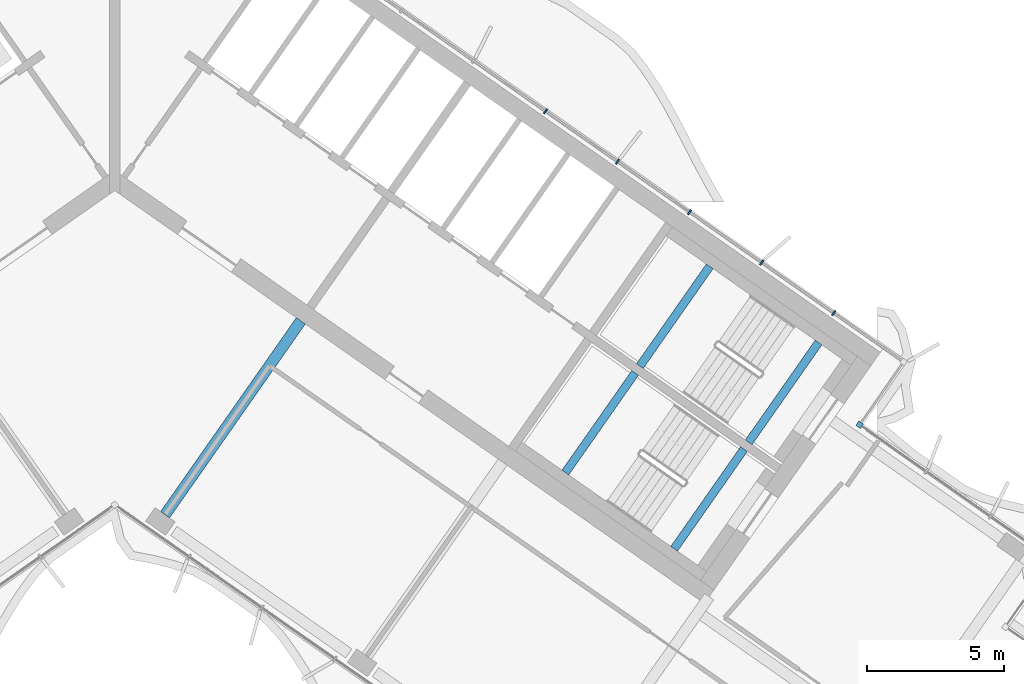
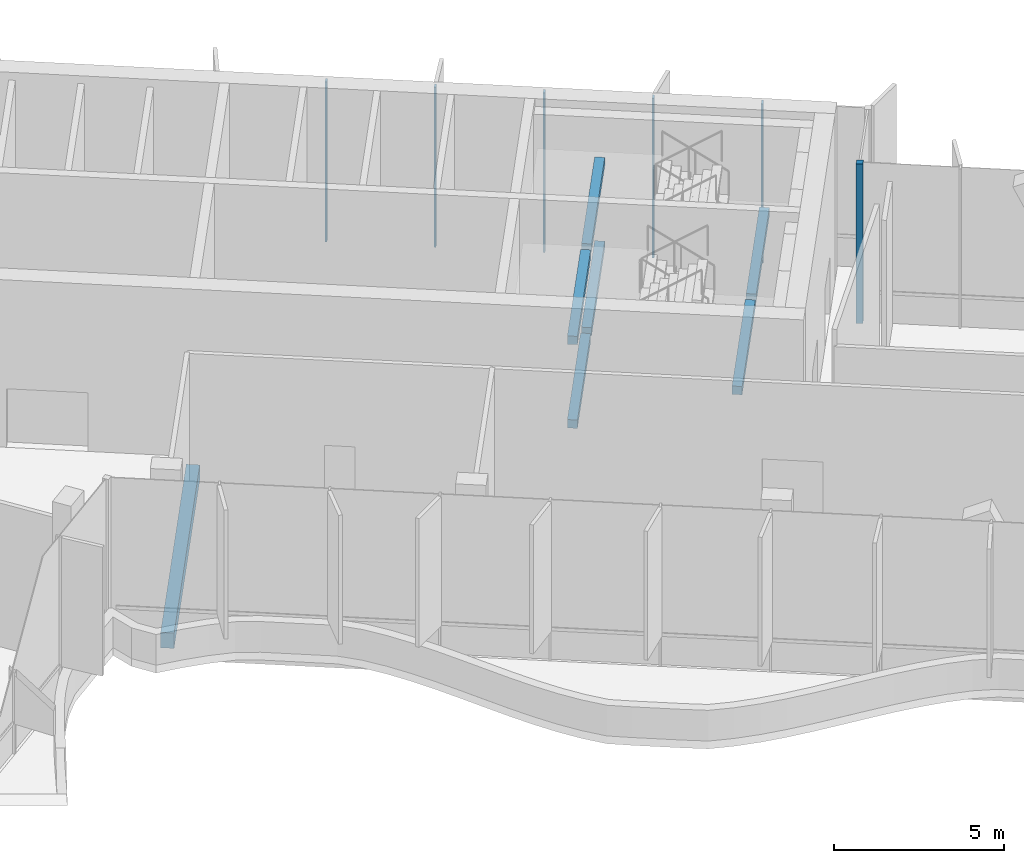
# One storey, part 6 of 22: 7 beams, 6 members, 1 element without a shape of its own.
"""IFC4 building model written with IfcOpenShell, lengths in metres."""

import ifcopenshell
import ifcopenshell.guid

model = None  # the IFC model being written
_history = None  # IfcOwnerHistory: only IFC2X3 demands one
_inside = {}  # id of a spatial element -> (the spatial element, [elements in it])
_under = {}  # id of a project, library or spatial element -> (it, [spatial elements below it])
_declared = {}  # id of a project -> (the project, [libraries it declares])
_typed = {}  # id of a type object -> (the type object, [elements of that type])
_made_of = {}  # id of a material, layer set ... -> (it, [elements and type objects made of it])


def new_model(schema):
    """Start an empty IFC model of exactly this schema.

    Asked for "IFC4X3", IfcOpenShell would pick the latest addendum, in which some entities
    have other attributes; the version numbers below select the first issue.
    IFC2X3 requires an IfcOwnerHistory on every rooted entity: one is made here for all.
    """
    global model, _history
    if schema == "IFC4X3":
        model = ifcopenshell.file(schema_version=(4, 3, 0, 0))
    else:
        model = ifcopenshell.file(schema=schema)
    _inside.clear()
    _under.clear()
    _declared.clear()
    _typed.clear()
    _made_of.clear()
    _history = None
    if model.schema == "IFC2X3":
        org = make("IfcOrganization", Name="unknown")
        user = make(
            "IfcPersonAndOrganization",
            ThePerson=make("IfcPerson", FamilyName="unknown"),
            TheOrganization=org,
        )
        app = make(
            "IfcApplication",
            ApplicationDeveloper=org,
            Version="unknown",
            ApplicationFullName="unknown",
            ApplicationIdentifier="unknown",
        )
        _history = make(
            "IfcOwnerHistory",
            OwningUser=user,
            OwningApplication=app,
            ChangeAction="ADDED",
            CreationDate=0,
        )
    return model


def make(cls, **values):
    """One entity of the class cls with the attributes given. An attribute that is None is left unset."""
    return model.create_entity(
        cls, **{name: value for name, value in values.items() if value is not None}
    )


def rooted(cls, **values):
    """An entity with a GlobalId (a new one), such as an element, a storey or a relation."""
    return make(cls, GlobalId=ifcopenshell.guid.new(), OwnerHistory=_history, **values)


def si_unit(unit_type, name, prefix=None):
    """IfcSIUnit, for example si_unit("LENGTHUNIT", "METRE", prefix="MILLI")."""
    return make("IfcSIUnit", UnitType=unit_type, Prefix=prefix, Name=name)


def assignment(units):
    """IfcUnitAssignment: the units of a project."""
    return None if units is None else make("IfcUnitAssignment", Units=units)


def point(xyz):
    """IfcCartesianPoint."""
    return None if xyz is None else make("IfcCartesianPoint", Coordinates=xyz)


def direction(xyz):
    """IfcDirection."""
    return None if xyz is None else make("IfcDirection", DirectionRatios=xyz)


def frame(location, z_axis=None, x_axis=None):
    """IfcAxis2Placement3D, a coordinate frame: its origin and axes. An axis left out is left unset."""
    return make(
        "IfcAxis2Placement3D",
        Location=point(location),
        Axis=direction(z_axis),
        RefDirection=direction(x_axis),
    )


def frame_2d(location, x_axis=None):
    """IfcAxis2Placement2D, a coordinate frame in the plane: its origin and x axis."""
    return make(
        "IfcAxis2Placement2D", Location=point(location), RefDirection=direction(x_axis)
    )


def origin():
    """The frame at (0, 0, 0) with its axes left unset."""
    return frame((0.0, 0.0, 0.0))


def origin_2d():
    """The frame at (0, 0) in the plane with its x axis left unset."""
    return frame_2d((0.0, 0.0))


def place(relative_to, where):
    """IfcLocalPlacement: puts the frame where relative to a parent placement (None: the world)."""
    return make(
        "IfcLocalPlacement", PlacementRelTo=relative_to, RelativePlacement=where
    )


def context(
    kind, dimensions, precision=None, world=None, true_north=None, identifier=None
):
    """IfcGeometricRepresentationContext, for example the 3D "Model" context."""
    return make(
        "IfcGeometricRepresentationContext",
        ContextIdentifier=identifier,
        ContextType=kind,
        CoordinateSpaceDimension=dimensions,
        Precision=precision,
        WorldCoordinateSystem=world,
        TrueNorth=true_north,
    )


def subcontext(parent, identifier, kind, view, scale=None):
    """IfcGeometricRepresentationSubContext, for example "Body" below "Model"."""
    return make(
        "IfcGeometricRepresentationSubContext",
        ContextIdentifier=identifier,
        ContextType=kind,
        ParentContext=parent,
        TargetScale=scale,
        TargetView=view,
    )


def project(units=None, contexts=None):
    """IfcProject with its units and contexts."""
    return rooted(
        "IfcProject",
        Name="project",
        RepresentationContexts=contexts,
        UnitsInContext=assignment(units),
    )


def spatial(cls, under=None, at=None, **own):
    """A site, building, storey or space (cls), placed at a placement, below another one or the project."""
    s = rooted(cls, ObjectPlacement=at, **own)
    if under is not None:
        _under.setdefault(under.id(), (under, []))[1].append(s)
    return s


def profile(cls, at=None, kind="AREA", **sizes):
    """A parametric profile (cls). Its sizes go by their IFC names, for example OverallWidth=200.0."""
    return make(cls, ProfileType=kind, Position=at, **sizes)


def rectangle(**sizes):
    """IfcRectangleProfileDef."""
    return profile("IfcRectangleProfileDef", **sizes)


def extrude(swept, where, along, depth):
    """IfcExtrudedAreaSolid: the profile swept, set in the frame where, extruded along a direction by depth."""
    return make(
        "IfcExtrudedAreaSolid",
        SweptArea=swept,
        Position=where,
        ExtrudedDirection=direction(along),
        Depth=depth,
    )


def shape(context_of_items, identifier, shape_type, items):
    """IfcShapeRepresentation: the items that make up one representation, for example the "Body"."""
    return make(
        "IfcShapeRepresentation",
        ContextOfItems=context_of_items,
        RepresentationIdentifier=identifier,
        RepresentationType=shape_type,
        Items=items,
    )


def material(Name=None, Category=None):
    """IfcMaterial."""
    return make("IfcMaterial", Name=Name, Category=Category)


def material_profile(
    of_material, cross_section, Name=None, Category=None, Priority=None
):
    """IfcMaterialProfile: a cross section and its material."""
    return make(
        "IfcMaterialProfile",
        Name=Name,
        Material=of_material,
        Profile=cross_section,
        Priority=Priority,
        Category=Category,
    )


def profile_set(profiles, Name=None, composite=None):
    """IfcMaterialProfileSet."""
    return make(
        "IfcMaterialProfileSet",
        Name=Name,
        MaterialProfiles=profiles,
        CompositeProfile=composite,
    )


def made_of(thing, what):
    """Note that an element or type object is made of a material, layer set ...; save() writes the relation."""
    if what is not None:
        _made_of.setdefault(what.id(), (what, []))[1].append(thing)
    return thing


def type_object(cls, material=None, **own):
    """A type object (cls), such as IfcWallType, which elements share."""
    return made_of(rooted(cls, **own), material)


def element(
    cls,
    number,
    at=None,
    inside=None,
    cuts=None,
    type_object=None,
    material=None,
    context=None,
    identifier="Body",
    shape_type=None,
    held_by="IfcProductDefinitionShape",
    body=None,
    shapes=None,
    **own,
):
    """One element of the class cls, such as IfcWall. Its Tag is "e" and its number.

    at: its placement. inside: the storey or other place that contains it. cuts: it is an
    opening in that element (IfcRelVoidsElement). A single representation is given by context,
    identifier, shape_type and body (its items); several are given by shapes. held_by: the class
    of the entity that holds the representations. save() writes the other relations.
    """
    e = rooted(cls, Tag="e%d" % number, ObjectPlacement=at, **own)
    if body is not None:
        shapes = [shape(context, identifier, shape_type, body)]
    if shapes is not None:
        e.Representation = make(held_by, Representations=shapes)
    if inside is not None:
        _inside.setdefault(inside.id(), (inside, []))[1].append(e)
    if cuts is not None:
        rooted(
            "IfcRelVoidsElement", RelatingBuildingElement=cuts, RelatedOpeningElement=e
        )
    if type_object is not None:
        _typed.setdefault(type_object.id(), (type_object, []))[1].append(e)
    return made_of(e, material)


def aggregate(whole, parts):
    """IfcRelAggregates: a whole, such as a stair, and the parts it consists of."""
    return rooted("IfcRelAggregates", RelatingObject=whole, RelatedObjects=parts)


def save(model, path):
    """Write the relations noted so far, then the file.

    IfcRelAggregates (storeys below a building ...), IfcRelContainedInSpatialStructure (elements
    in a storey), IfcRelDefinesByType, IfcRelAssociatesMaterial and IfcRelDeclares: one each for
    every whole, place, type object, material and project.
    """
    for whole, parts in _under.values():
        aggregate(whole, parts)
    for where, things in _inside.values():
        rooted(
            "IfcRelContainedInSpatialStructure",
            RelatedElements=things,
            RelatingStructure=where,
        )
    for kind, things in _typed.values():
        rooted("IfcRelDefinesByType", RelatedObjects=things, RelatingType=kind)
    for what, things in _made_of.values():
        rooted("IfcRelAssociatesMaterial", RelatedObjects=things, RelatingMaterial=what)
    for by, libraries in _declared.values():
        rooted("IfcRelDeclares", RelatingContext=by, RelatedDefinitions=libraries)
    model.write(path)


model = new_model("IFC4")

# Units and contexts
model_context = context("Model", 3, precision=1e-05, world=origin(), true_north=direction((0.0, 1.0)))
body_context = subcontext(model_context, "Body", "Model", "MODEL_VIEW")
ifc_project = project(units=[si_unit("LENGTHUNIT", "METRE"), si_unit("AREAUNIT", "SQUARE_METRE"), si_unit("VOLUMEUNIT", "CUBIC_METRE"), si_unit("PLANEANGLEUNIT", "RADIAN"), si_unit("MASSUNIT", "GRAM", prefix="KILO")], contexts=[model_context])

# Site, building, storey
site_placement = place(None, origin())
site = spatial("IfcSite", under=ifc_project, at=site_placement, CompositionType="ELEMENT")
building_placement = place(site_placement, origin())
building = spatial("IfcBuilding", under=site, at=building_placement, Name="Tel Ilan Convention Tower", CompositionType="ELEMENT")
storey_placement = place(building_placement, frame((0.0, 0.0, 219.39990234375)))
storey = spatial("IfcBuildingStorey", under=building, at=storey_placement, Name="L51", CompositionType="ELEMENT", Elevation=219.39990234375)

# Beam
ifc_material_1 = material(Name="Concrete C40/50", Category="concrete")
ifc_material_profile_1 = material_profile(ifc_material_1, rectangle(XDim=0.39990234375, YDim=0.550048828125, at=origin_2d()), Name="RC 400x550")
ifc_profile_set_1 = profile_set([ifc_material_profile_1], Name="Concrete C40/50")
beam_type_1 = type_object("IfcBeamType", Name="Beam RC 400x550 Concrete C40/50", PredefinedType="BEAM", material=ifc_profile_set_1)
beam_1_placement = place(storey_placement, frame((1.83740234375, -13.06689453125, -0.554931640625), z_axis=(0.573574099654, 0.819153680457, 0.0), x_axis=(-0.819153680457, 0.573574099654, 0.0)))
element("IfcBeam", 1, at=beam_1_placement, inside=storey, type_object=beam_type_1, Name="L51 beam E-E-F1-core", PredefinedType="BEAM", context=body_context, shape_type="SweptSolid", body=[
    extrude(rectangle(XDim=0.39990234375, YDim=0.550048828125, at=origin_2d()), origin(), (0.0, 0.0, 1.0), 8.64990234375),
])

# Curtain wall, members
ifc_material_2 = material(Name="Aluminium, bronze anodised", Category="aluminium")
curtain_wall_type = type_object("IfcCurtainWallType", Name="CW2 STICK CURTAIN WALL, SPANDREL PANELS", PredefinedType="NOTDEFINED", material=ifc_material_2)
curtain_wall_placement = place(storey_placement, origin())
curtain_wall = element("IfcCurtainWall", 2, at=curtain_wall_placement, inside=storey, type_object=curtain_wall_type, Name="Curtain wall CW2-40.01", PredefinedType="NOTDEFINED")
ifc_material_3 = material(Name="Aluminium, bronze anodised", Category="aluminium")
ifc_material_profile_2 = material_profile(ifc_material_3, rectangle(XDim=0.199951171875, YDim=0.199951171875, at=origin_2d()), Name="CW CORNER MULLION 200x200")
ifc_profile_set_2 = profile_set([ifc_material_profile_2], Name="Aluminium, bronze anodised")
member_type_1 = type_object("IfcMemberType", Name="CW CORNER MULLION 200x200", PredefinedType="MULLION", material=ifc_profile_set_2)
member_1_placement = place(storey_placement, frame((27.213623046875, -9.77734375, 0.0), z_axis=(0.0, 0.0, 1.0), x_axis=(-0.819152044289, 0.573576436351, 0.0)))
member_1 = element("IfcMember", 3, at=member_1_placement, type_object=member_type_1, Name="Corner mullion", PredefinedType="MULLION", context=body_context, shape_type="SweptSolid", body=[
    extrude(rectangle(XDim=0.199951171875, YDim=0.199951171875, at=origin_2d()), origin(), (0.0, 0.0, 1.0), 5.72021484375),
])
ifc_material_4 = material(Name="Aluminium, bronze anodised", Category="aluminium")
ifc_material_profile_3 = material_profile(ifc_material_4, rectangle(XDim=0.06005859375, YDim=0.199951171875, at=origin_2d()), Name="CW MULLION 60x200")
ifc_profile_set_3 = profile_set([ifc_material_profile_3], Name="Aluminium, bronze anodised")
member_type_2 = type_object("IfcMemberType", Name="CW MULLION 60x200", PredefinedType="MULLION", material=ifc_profile_set_3)
member_2_placement = place(storey_placement, frame((26.268798828125, -5.697509765625, 0.0), z_axis=(0.0, 0.0, 1.0), x_axis=(-0.819152044289, 0.573576436351, 0.0)))
member_2 = element("IfcMember", 4, at=member_2_placement, type_object=member_type_2, Name="Mullion", PredefinedType="MULLION", context=body_context, shape_type="SweptSolid", body=[
    extrude(rectangle(XDim=0.06005859375, YDim=0.199951171875, at=origin_2d()), origin(), (0.0, 0.0, 1.0), 5.72021484375),
])
member_3_placement = place(storey_placement, frame((23.63623046875, -3.854248046875, 0.0), z_axis=(0.0, 0.0, 1.0), x_axis=(-0.819152044289, 0.573576436351, 0.0)))
member_3 = element("IfcMember", 5, at=member_3_placement, type_object=member_type_2, Name="Mullion", PredefinedType="MULLION", context=body_context, shape_type="SweptSolid", body=[
    extrude(rectangle(XDim=0.06005859375, YDim=0.199951171875, at=origin_2d()), origin(), (0.0, 0.0, 1.0), 5.72021484375),
])
member_4_placement = place(storey_placement, frame((21.003662109375, -2.0107421875, 0.0), z_axis=(0.0, 0.0, 1.0), x_axis=(-0.819152044289, 0.573576436351, 0.0)))
member_4 = element("IfcMember", 6, at=member_4_placement, type_object=member_type_2, Name="Mullion", PredefinedType="MULLION", context=body_context, shape_type="SweptSolid", body=[
    extrude(rectangle(XDim=0.06005859375, YDim=0.199951171875, at=origin_2d()), origin(), (0.0, 0.0, 1.0), 5.72021484375),
])
member_5_placement = place(storey_placement, frame((18.37109375, -0.16748046875, 0.0), z_axis=(0.0, 0.0, 1.0), x_axis=(-0.819152044289, 0.573576436351, 0.0)))
member_5 = element("IfcMember", 7, at=member_5_placement, type_object=member_type_2, Name="Mullion", PredefinedType="MULLION", context=body_context, shape_type="SweptSolid", body=[
    extrude(rectangle(XDim=0.06005859375, YDim=0.199951171875, at=origin_2d()), origin(), (0.0, 0.0, 1.0), 5.72021484375),
])
member_6_placement = place(storey_placement, frame((15.73828125, 1.676025390625, 0.0), z_axis=(0.0, 0.0, 1.0), x_axis=(-0.819152044289, 0.573576436351, 0.0)))
member_6 = element("IfcMember", 8, at=member_6_placement, type_object=member_type_2, Name="Mullion", PredefinedType="MULLION", context=body_context, shape_type="SweptSolid", body=[
    extrude(rectangle(XDim=0.06005859375, YDim=0.199951171875, at=origin_2d()), origin(), (0.0, 0.0, 1.0), 5.72021484375),
])
aggregate(curtain_wall, [member_1, member_2, member_3, member_4, member_5, member_6])

# Beams
ifc_material_5 = material(Name="Concrete C40/50", Category="concrete")
ifc_material_profile_4 = material_profile(ifc_material_5, rectangle(XDim=0.300048828125, YDim=0.300048828125, at=origin_2d()), Name="RC 300x300")
ifc_profile_set_4 = profile_set([ifc_material_profile_4], Name="Concrete C40/50")
beam_type_2 = type_object("IfcBeamType", Name="Landing Beam RC 300x300 Concrete C40/50", PredefinedType="BEAM", material=ifc_profile_set_4)
beam_2_placement = place(storey_placement, frame((21.738037109375, -3.989990234375, 1.150146484375), z_axis=(-0.573547030514, -0.819172633691, 0.0), x_axis=(0.819172633691, -0.573547030514, 0.0)))
element("IfcBeam", 9, at=beam_2_placement, inside=storey, type_object=beam_type_2, Name="S3 landing beam L51.1", PredefinedType="BEAM", context=body_context, shape_type="SweptSolid", body=[
    extrude(rectangle(XDim=0.300048828125, YDim=0.300048828125, at=origin_2d()), origin(), (0.0, 0.0, 1.0), 4.449951171875),
])
beam_3_placement = place(storey_placement, frame((25.71435546875, -6.7744140625, 2.650146484375), z_axis=(-0.573572808308, -0.81915458466, 0.0), x_axis=(0.81915458466, -0.573572808308, 0.0)))
element("IfcBeam", 10, at=beam_3_placement, inside=storey, type_object=beam_type_2, Name="S3 landing beam L51.2", PredefinedType="BEAM", context=body_context, shape_type="SweptSolid", body=[
    extrude(rectangle(XDim=0.300048828125, YDim=0.300048828125, at=origin_2d()), origin(), (0.0, 0.0, 1.0), 4.44970703125),
])
for number, where, z_axis, x_axis, name in (
    (11, (21.738037109375, -3.989990234375, 4.150146484375), (-0.573547030514, -0.819172633691, 0.0), (0.819172633691, -0.573547030514, 0.0), "S3 landing beam L51.3"),
    (12, (19.013671875, -7.881103515625, 1.150146484375), (-0.573609622671, -0.819128805976, 0.0), (0.819128805976, -0.573609622671, 0.0), "S4 landing beam L51.1"),
):
    element("IfcBeam", number, at=place(storey_placement, frame(where, z_axis=z_axis, x_axis=x_axis)), inside=storey, type_object=beam_type_2, Name=name, PredefinedType="BEAM", context=body_context, shape_type="SweptSolid", body=[
        extrude(rectangle(XDim=0.300048828125, YDim=0.300048828125, at=origin_2d()), origin(), (0.0, 0.0, 1.0), 4.449951171875),
    ])
beam_4_placement = place(storey_placement, frame((22.989990234375, -10.665283203125, 2.650146484375), z_axis=(-0.573583844845, -0.819146856756, 0.0), x_axis=(0.819146856756, -0.573583844845, 0.0)))
element("IfcBeam", 13, at=beam_4_placement, inside=storey, type_object=beam_type_2, Name="S4 landing beam L51.2", PredefinedType="BEAM", context=body_context, shape_type="SweptSolid", body=[
    extrude(rectangle(XDim=0.300048828125, YDim=0.300048828125, at=origin_2d()), origin(), (0.0, 0.0, 1.0), 4.4501953125),
])
beam_5_placement = place(storey_placement, frame((19.013671875, -7.881103515625, 4.150146484375), z_axis=(-0.573609622671, -0.819128805976, 0.0), x_axis=(0.819128805976, -0.573609622671, 0.0)))
element("IfcBeam", 14, at=beam_5_placement, inside=storey, type_object=beam_type_2, Name="S4 landing beam L51.3", PredefinedType="BEAM", context=body_context, shape_type="SweptSolid", body=[
    extrude(rectangle(XDim=0.300048828125, YDim=0.300048828125, at=origin_2d()), origin(), (0.0, 0.0, 1.0), 4.449951171875),
])

save(model, "model.ifc")
